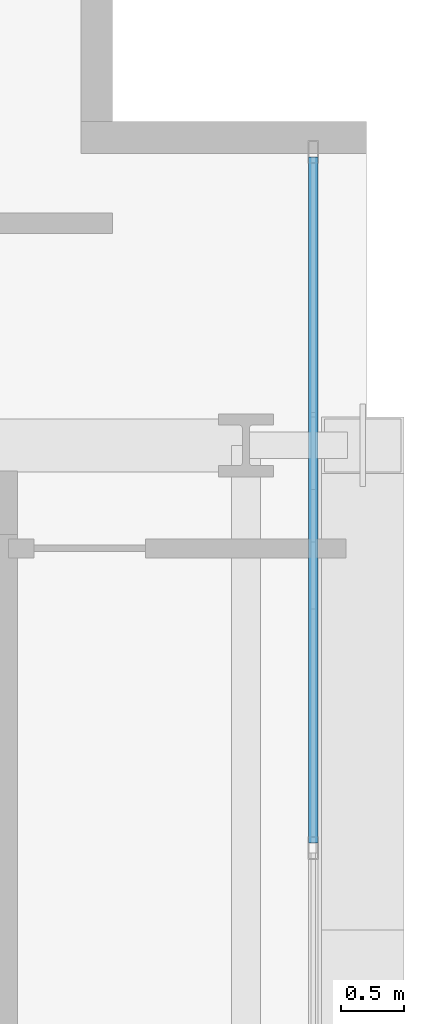
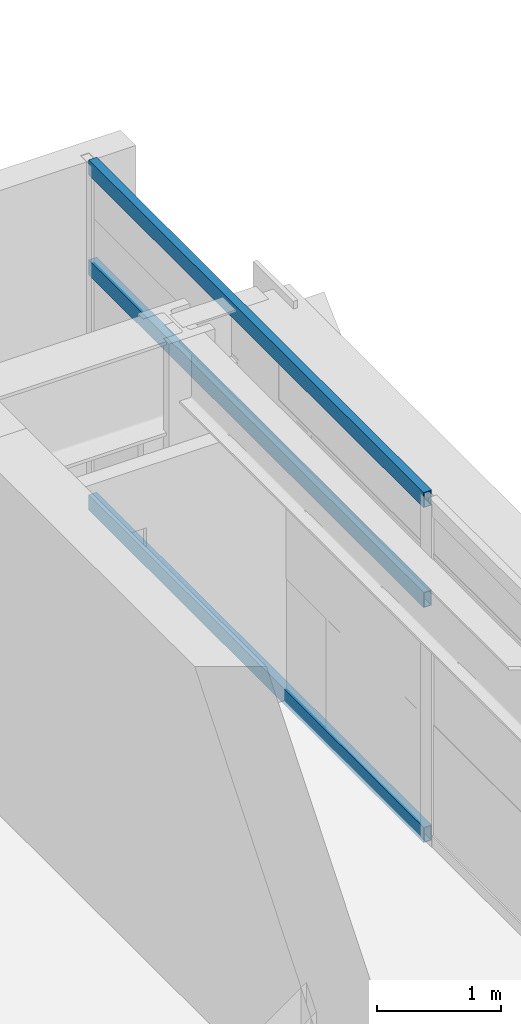
# One storey, part 15 of 32: 3 members, 1 element without a shape of its own.
"""IFC4 building model written with IfcOpenShell, lengths in metres."""

from ifc_helpers import new_model, si_unit, direction, frame, origin, origin_2d, place, context, subcontext, project, spatial, hollow_rectangle, extrude, source, transform, mapped, material, layer, layer_set, material_profile, profile_set, type_object, element, aggregate, save


model = new_model("IFC4")

# Units and contexts
model_context = context("Model", 3, precision=1e-05, world=origin(), true_north=direction((0.0, 1.0)))
body_context = subcontext(model_context, "Body", "Model", "MODEL_VIEW")
ifc_project = project(units=[si_unit("LENGTHUNIT", "METRE"), si_unit("AREAUNIT", "SQUARE_METRE"), si_unit("VOLUMEUNIT", "CUBIC_METRE"), si_unit("PLANEANGLEUNIT", "RADIAN"), si_unit("MASSUNIT", "GRAM", prefix="KILO")], contexts=[model_context])

# Site, building, storey
site_placement = place(None, origin())
site = spatial("IfcSite", under=ifc_project, at=site_placement, CompositionType="ELEMENT")
building_placement = place(site_placement, origin())
building = spatial("IfcBuilding", under=site, at=building_placement, Name="Ocotamira Hotel", CompositionType="ELEMENT")
storey_placement = place(building_placement, frame((0.0, 0.0, 184.800048828125)))
storey = spatial("IfcBuildingStorey", under=building, at=storey_placement, Name="L46", CompositionType="ELEMENT", Elevation=184.800048828125)

# Curtain wall, members
ifc_material_1 = material(Name="Anodised pale-metal aluminium and solar glass", Category="aluminium")
ifc_layer = layer(ifc_material_1, 0.199951171875)
ifc_layer_set = layer_set([ifc_layer], Name="Anodised pale-metal aluminium and solar glass")
curtain_wall_type = type_object("IfcCurtainWallType", Name="CW-SYS4-Z3", PredefinedType="NOTDEFINED", material=ifc_layer_set)
curtain_wall_placement = place(storey_placement, origin())
curtain_wall = element("IfcCurtainWall", 1, at=curtain_wall_placement, inside=storey, type_object=curtain_wall_type, Name="L46 Curtain Wall CW-4 CW-L46-E", PredefinedType="NOTDEFINED")
ifc_material_2 = material(Name="Anodised pale-metal aluminium 6063-T6", Category="aluminium")
ifc_material_profile = material_profile(ifc_material_2, hollow_rectangle(XDim=0.074951171875, YDim=0.14990234375, WallThickness=0.006103515625, at=origin_2d()), Name="HSS150X75X6")
ifc_profile_set = profile_set([ifc_material_profile], Name="Anodised pale-metal aluminium 6063-T6")
member_type = type_object("IfcMemberType", Name="CWT-150X75", PredefinedType="USERDEFINED", material=ifc_profile_set)
shared_shape = source(origin(), body_context, "Body", "SweptSolid", [
    extrude(hollow_rectangle(XDim=0.074951171875, YDim=0.14990234375, WallThickness=0.006103515625, at=origin_2d()), origin(), (0.0, 0.0, 1.0), 5.39990234375),
])
member_1_placement = place(storey_placement, frame((55.580078125, 34.320068359375, 0.037353515625), z_axis=(0.0, 1.0, 0.0), x_axis=(-1.0, 0.0, 0.0)))
member_1 = element("IfcMember", 2, at=member_1_placement, type_object=member_type, Name="CW-4 transom 5.1", ObjectType="TRANSOM", PredefinedType="USERDEFINED", context=body_context, shape_type="MappedRepresentation", body=[
    mapped(shared_shape, transform((0.0, 0.0, 0.0), scale=1.0)),
])
member_2_placement = place(storey_placement, frame((55.580078125, 34.320068359375, 2.349853515625), z_axis=(0.0, 1.0, 0.0), x_axis=(-1.0, 0.0, 0.0)))
member_2 = element("IfcMember", 3, at=member_2_placement, type_object=member_type, Name="CW-4 transom 5.2", ObjectType="TRANSOM", PredefinedType="USERDEFINED", context=body_context, shape_type="MappedRepresentation", body=[
    mapped(shared_shape, transform((0.0, 0.0, 0.0), scale=1.0)),
])
member_3_placement = place(storey_placement, frame((55.580078125, 34.320068359375, 3.33251953125), z_axis=(0.0, 1.0, 0.0), x_axis=(-1.0, 0.0, 0.0)))
member_3 = element("IfcMember", 4, at=member_3_placement, type_object=member_type, Name="CW-4 transom 5.3", ObjectType="TRANSOM", PredefinedType="USERDEFINED", context=body_context, shape_type="MappedRepresentation", body=[
    mapped(shared_shape, transform((0.0, 0.0, 0.0), scale=1.0)),
])
aggregate(curtain_wall, [member_1, member_2, member_3])

save(model, "model.ifc")
